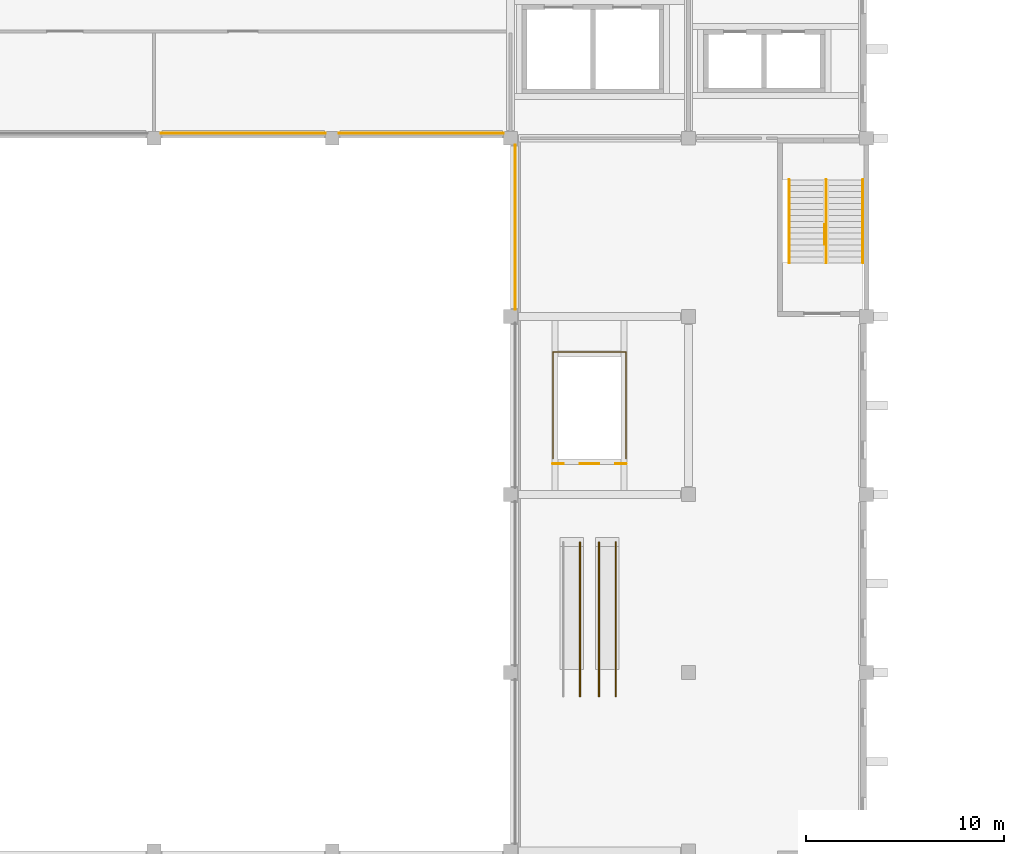
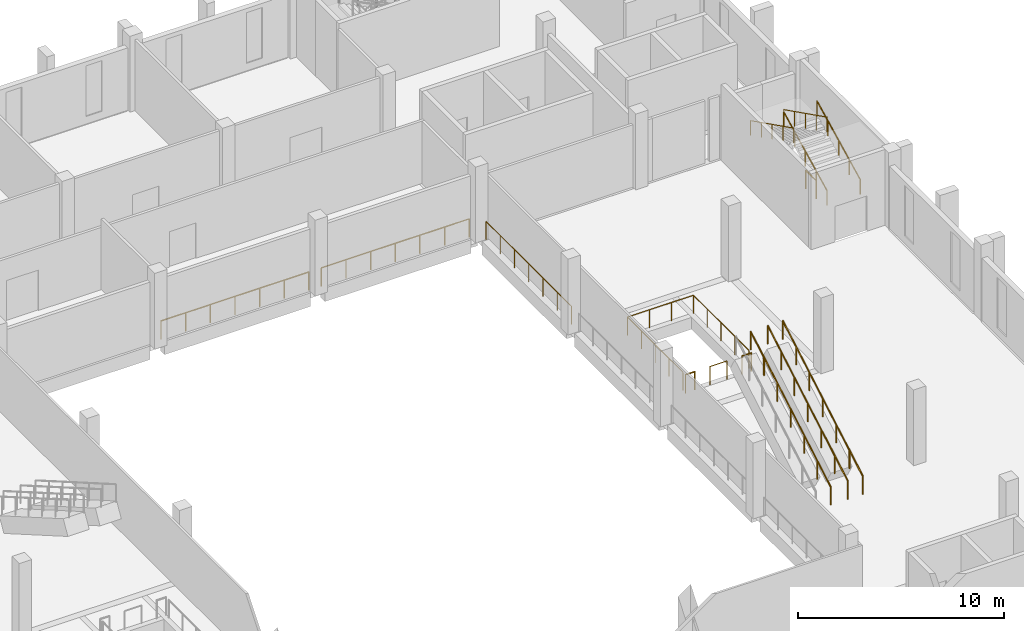
# One storey, part 41 of 45: 15 railings.
"""IFC4 building model written with IfcOpenShell, lengths in metres."""

from ifc_helpers import new_model, si_unit, direction, frame, origin, origin_2d, place, context, subcontext, project, spatial, circle, extrude, material, type_object, element, save


model = new_model("IFC4")

# Units and contexts
model_context = context("Model", 3, precision=1e-05, world=origin(), true_north=direction((0.0, 1.0)))
body_context = subcontext(model_context, "Body", "Model", "MODEL_VIEW")
ifc_project = project(units=[si_unit("LENGTHUNIT", "METRE"), si_unit("AREAUNIT", "SQUARE_METRE"), si_unit("VOLUMEUNIT", "CUBIC_METRE"), si_unit("PLANEANGLEUNIT", "RADIAN"), si_unit("MASSUNIT", "GRAM", prefix="KILO")], contexts=[model_context])

# Site, building, storey
site_placement = place(None, origin())
site = spatial("IfcSite", under=ifc_project, at=site_placement, CompositionType="ELEMENT")
building_placement = place(site_placement, origin())
building = spatial("IfcBuilding", under=site, at=building_placement, Name="Guidao Yard Department Store", CompositionType="ELEMENT")
storey_placement = place(building_placement, frame((0.0, 0.0, 19.5)))
storey = spatial("IfcBuildingStorey", under=building, at=storey_placement, Name="L04", CompositionType="ELEMENT", Elevation=19.5)

# Railings
ifc_material_1 = material(Name="Laminated glass", Category="glass")
railing_type_1 = type_object("IfcRailingType", Name="Escalator balustrade glass 1100", PredefinedType="BALUSTRADE", material=ifc_material_1)
for number, where, name in (
    (1, (48.52001953125, 61.800048828125, 0.0), "Escalator EH9 up balustrade"),
    (2, (49.47998046875, 61.800048828125, 0.0), "Escalator EH9 down balustrade"),
    (3, (50.320068359375, 61.800048828125, 0.0), "Escalator EH9 down balustrade"),
):
    element("IfcRailing", number, at=place(storey_placement, frame(where)), inside=storey, type_object=railing_type_1, Name=name, PredefinedType="BALUSTRADE", context=body_context, shape_type="SweptSolid", body=[
        extrude(circle(Radius=0.030029296875, at=origin_2d()), frame((0.0, 0.0, 1.070068359375), z_axis=(0.0, 0.866017533419, 0.500013631625), x_axis=(-1.0, 0.0, 0.0)), (0.0, 0.0, 1.0), 8.999755859375),
        extrude(circle(Radius=0.02490234375, at=origin_2d()), origin(), (0.0, 0.0, 1.0), 1.0400390625),
        extrude(circle(Radius=0.02490234375, at=origin_2d()), frame((0.0, 1.299072265625, 0.75)), (0.0, 0.0, 1.0), 1.0400390625),
        extrude(circle(Radius=0.02490234375, at=origin_2d()), frame((0.0, 2.597900390625, 1.5)), (0.0, 0.0, 1.0), 1.0400390625),
        extrude(circle(Radius=0.02490234375, at=origin_2d()), frame((0.0, 3.89697265625, 2.25)), (0.0, 0.0, 1.0), 1.0400390625),
        extrude(circle(Radius=0.02490234375, at=origin_2d()), frame((0.0, 5.196044921875, 3.0)), (0.0, 0.0, 1.0), 1.0400390625),
        extrude(circle(Radius=0.02490234375, at=origin_2d()), frame((0.0, 6.494873046875, 3.75)), (0.0, 0.0, 1.0), 1.0400390625),
        extrude(circle(Radius=0.02490234375, at=origin_2d()), frame((0.0, 7.7939453125, 4.5)), (0.0, 0.0, 1.0), 1.0400390625),
    ])
ifc_material_2 = material(Name="Steel Q235", Category="steel")
railing_type_2 = type_object("IfcRailingType", Name="Guard steel balustrade 1100", PredefinedType="GUARDRAIL", material=ifc_material_2)
railing_1_placement = place(storey_placement, frame((60.875, 84.6298828125, 0.0)))
element("IfcRailing", 4, at=railing_1_placement, inside=storey, type_object=railing_type_2, Name="Stair A4 guard L04 4", PredefinedType="GUARDRAIL", context=body_context, shape_type="SweptSolid", body=[
    extrude(circle(Radius=0.02392578125, at=origin_2d()), frame((0.0, 0.0, 1.076171875), z_axis=(0.0, 1.0, 0.0), x_axis=(-1.0, 0.0, 0.0)), (0.0, 0.0, 1.0), 1.0),
    extrude(circle(Radius=0.02099609375, at=origin_2d()), origin(), (0.0, 0.0, 1.0), 1.052001953125),
    extrude(circle(Radius=0.02099609375, at=origin_2d()), frame((0.0, 1.0, 0.0)), (0.0, 0.0, 1.0), 1.052001953125),
])
railing_2_placement = place(storey_placement, frame((47.14990234375, 73.555908203125, 0.0)))
element("IfcRailing", 5, at=railing_2_placement, inside=storey, type_object=railing_type_2, Name="Guard escalator EH8 arrival 1", PredefinedType="GUARDRAIL", context=body_context, shape_type="SweptSolid", body=[
    extrude(circle(Radius=0.02392578125, at=origin_2d()), frame((0.0, 0.0, 1.076171875), z_axis=(1.0, 0.0, 0.0), x_axis=(0.0, 1.0, 0.0)), (0.0, 0.0, 1.0), 0.530029296875),
    extrude(circle(Radius=0.02099609375, at=origin_2d()), origin(), (0.0, 0.0, 1.0), 1.052001953125),
    extrude(circle(Radius=0.02099609375, at=origin_2d()), frame((0.530029296875, 0.0, 0.0)), (0.0, 0.0, 1.0), 1.052001953125),
])
railing_3_placement = place(storey_placement, frame((48.52001953125, 73.555908203125, 0.0)))
element("IfcRailing", 6, at=railing_3_placement, inside=storey, type_object=railing_type_2, Name="Guard escalator EH8 arrival 2", PredefinedType="GUARDRAIL", context=body_context, shape_type="SweptSolid", body=[
    extrude(circle(Radius=0.02392578125, at=origin_2d()), frame((0.0, 0.0, 1.076171875), z_axis=(1.0, 0.0, 0.0), x_axis=(0.0, 1.0, 0.0)), (0.0, 0.0, 1.0), 0.9599609375),
    extrude(circle(Radius=0.02099609375, at=origin_2d()), origin(), (0.0, 0.0, 1.0), 1.052001953125),
    extrude(circle(Radius=0.02099609375, at=origin_2d()), frame((0.9599609375, 0.0, 0.0)), (0.0, 0.0, 1.0), 1.052001953125),
])
railing_4_placement = place(storey_placement, frame((50.320068359375, 73.555908203125, 0.0)))
element("IfcRailing", 7, at=railing_4_placement, inside=storey, type_object=railing_type_2, Name="Guard escalator EH8 arrival 3", PredefinedType="GUARDRAIL", context=body_context, shape_type="SweptSolid", body=[
    extrude(circle(Radius=0.02392578125, at=origin_2d()), frame((0.0, 0.0, 1.076171875), z_axis=(1.0, 0.0, 0.0), x_axis=(0.0, 1.0, 0.0)), (0.0, 0.0, 1.0), 0.530029296875),
    extrude(circle(Radius=0.02099609375, at=origin_2d()), origin(), (0.0, 0.0, 1.0), 1.052001953125),
    extrude(circle(Radius=0.02099609375, at=origin_2d()), frame((0.530029296875, 0.0, 0.0)), (0.0, 0.0, 1.0), 1.052001953125),
])
railing_5_placement = place(storey_placement, frame((45.25, 81.35009765625, 0.0)))
element("IfcRailing", 8, at=railing_5_placement, inside=storey, type_object=railing_type_2, Name="Guard atrium E L04", PredefinedType="GUARDRAIL", context=body_context, shape_type="SweptSolid", body=[
    extrude(circle(Radius=0.02392578125, at=origin_2d()), frame((0.0, 0.0, 1.076171875), z_axis=(0.0, 1.0, 0.0), x_axis=(-1.0, 0.0, 0.0)), (0.0, 0.0, 1.0), 8.2998046875),
    extrude(circle(Radius=0.02099609375, at=origin_2d()), origin(), (0.0, 0.0, 1.0), 1.052001953125),
    extrude(circle(Radius=0.02099609375, at=origin_2d()), frame((0.0, 1.38330078125, 0.0)), (0.0, 0.0, 1.0), 1.052001953125),
    extrude(circle(Radius=0.02099609375, at=origin_2d()), frame((0.0, 2.7666015625, 0.0)), (0.0, 0.0, 1.0), 1.052001953125),
    extrude(circle(Radius=0.02099609375, at=origin_2d()), frame((0.0, 4.14990234375, 0.0)), (0.0, 0.0, 1.0), 1.052001953125),
    extrude(circle(Radius=0.02099609375, at=origin_2d()), frame((0.0, 5.533203125, 0.0)), (0.0, 0.0, 1.0), 1.052001953125),
    extrude(circle(Radius=0.02099609375, at=origin_2d()), frame((0.0, 6.91650390625, 0.0)), (0.0, 0.0, 1.0), 1.052001953125),
    extrude(circle(Radius=0.02099609375, at=origin_2d()), frame((0.0, 8.2998046875, 0.0)), (0.0, 0.0, 1.0), 1.052001953125),
])
for number, where, name in (
    (9, (44.64990234375, 90.25, 0.0), "Guard atrium N L04"),
    (10, (35.64990234375, 90.25, 0.0), "Guard atrium N L04"),
):
    element("IfcRailing", number, at=place(storey_placement, frame(where)), inside=storey, type_object=railing_type_2, Name=name, PredefinedType="GUARDRAIL", context=body_context, shape_type="SweptSolid", body=[
        extrude(circle(Radius=0.02392578125, at=origin_2d()), frame((0.0, 0.0, 1.076171875), z_axis=(-1.0, 0.0, 0.0), x_axis=(0.0, -1.0, 0.0)), (0.0, 0.0, 1.0), 8.2998046875),
        extrude(circle(Radius=0.02099609375, at=origin_2d()), origin(), (0.0, 0.0, 1.0), 1.052001953125),
        extrude(circle(Radius=0.02099609375, at=origin_2d()), frame((-1.38330078125, 0.0, 0.0)), (0.0, 0.0, 1.0), 1.052001953125),
        extrude(circle(Radius=0.02099609375, at=origin_2d()), frame((-2.7666015625, 0.0, 0.0)), (0.0, 0.0, 1.0), 1.052001953125),
        extrude(circle(Radius=0.02099609375, at=origin_2d()), frame((-4.14990234375, 0.0, 0.0)), (0.0, 0.0, 1.0), 1.052001953125),
        extrude(circle(Radius=0.02099609375, at=origin_2d()), frame((-5.533203125, 0.0, 0.0)), (0.0, 0.0, 1.0), 1.052001953125),
        extrude(circle(Radius=0.02099609375, at=origin_2d()), frame((-6.91650390625, 0.0, 0.0)), (0.0, 0.0, 1.0), 1.052001953125),
        extrude(circle(Radius=0.02099609375, at=origin_2d()), frame((-8.2998046875, 0.0, 0.0)), (0.0, 0.0, 1.0), 1.052001953125),
    ])
railing_6_placement = place(storey_placement, frame((50.85009765625, 73.805908203125, 0.0)))
element("IfcRailing", 11, at=railing_6_placement, inside=storey, type_object=railing_type_2, Name="Guard well EH8 L04", PredefinedType="GUARDRAIL", context=body_context, shape_type="SweptSolid", body=[
    extrude(circle(Radius=0.02392578125, at=origin_2d()), frame((0.0, 0.0, 1.076171875), z_axis=(0.0, 1.0, 0.0), x_axis=(-1.0, 0.0, 0.0)), (0.0, 0.0, 1.0), 5.38818359375),
    extrude(circle(Radius=0.02392578125, at=origin_2d()), frame((0.0, 5.38818359375, 1.076171875), z_axis=(-1.0, 0.0, 0.0), x_axis=(0.0, -1.0, 0.0)), (0.0, 0.0, 1.0), 3.7001953125),
    extrude(circle(Radius=0.02392578125, at=origin_2d()), frame((-3.7001953125, 5.38818359375, 1.076171875), z_axis=(0.0, -1.0, 0.0), x_axis=(1.0, 0.0, 0.0)), (0.0, 0.0, 1.0), 5.38818359375),
    extrude(circle(Radius=0.02099609375, at=origin_2d()), origin(), (0.0, 0.0, 1.0), 1.052001953125),
    extrude(circle(Radius=0.02099609375, at=origin_2d()), frame((0.0, 1.34716796875, 0.0)), (0.0, 0.0, 1.0), 1.052001953125),
    extrude(circle(Radius=0.02099609375, at=origin_2d()), frame((0.0, 2.694091796875, 0.0)), (0.0, 0.0, 1.0), 1.052001953125),
    extrude(circle(Radius=0.02099609375, at=origin_2d()), frame((0.0, 4.041015625, 0.0)), (0.0, 0.0, 1.0), 1.052001953125),
    extrude(circle(Radius=0.02099609375, at=origin_2d()), frame((0.0, 5.38818359375, 0.0)), (0.0, 0.0, 1.0), 1.052001953125),
    extrude(circle(Radius=0.02099609375, at=origin_2d()), frame((-1.2333984375, 5.38818359375, 0.0)), (0.0, 0.0, 1.0), 1.052001953125),
    extrude(circle(Radius=0.02099609375, at=origin_2d()), frame((-2.466796875, 5.38818359375, 0.0)), (0.0, 0.0, 1.0), 1.052001953125),
    extrude(circle(Radius=0.02099609375, at=origin_2d()), frame((-3.7001953125, 5.38818359375, 0.0)), (0.0, 0.0, 1.0), 1.052001953125),
    extrude(circle(Radius=0.02099609375, at=origin_2d()), frame((-3.7001953125, 4.041015625, 0.0)), (0.0, 0.0, 1.0), 1.052001953125),
    extrude(circle(Radius=0.02099609375, at=origin_2d()), frame((-3.7001953125, 2.694091796875, 0.0)), (0.0, 0.0, 1.0), 1.052001953125),
    extrude(circle(Radius=0.02099609375, at=origin_2d()), frame((-3.7001953125, 1.34716796875, 0.0)), (0.0, 0.0, 1.0), 1.052001953125),
    extrude(circle(Radius=0.02099609375, at=origin_2d()), frame((-3.7001953125, 0.0, 0.0)), (0.0, 0.0, 1.0), 1.052001953125),
])
ifc_material_3 = material(Name="Steel Q235", Category="steel")
railing_type_3 = type_object("IfcRailingType", Name="Handrail steel tube 48", PredefinedType="HANDRAIL", material=ifc_material_3)
for number, where, name in (
    (12, (62.81494140625, 83.699951171875, 0.14990234375), "Stair A4 hand rail L04 13"),
    (13, (60.949951171875, 83.699951171875, 0.14990234375), "Stair A4 hand rail L04 14"),
):
    element("IfcRailing", number, at=place(storey_placement, frame(where)), inside=storey, type_object=railing_type_3, Name=name, PredefinedType="HANDRAIL", context=body_context, shape_type="SweptSolid", body=[
        extrude(circle(Radius=0.02392578125, at=origin_2d()), frame((0.0, 0.0, 0.8759765625), z_axis=(0.0, 0.894416792377, 0.447234392142), x_axis=(-1.0, 0.0, 0.0)), (0.0, 0.0, 1.0), 4.69580078125),
        extrude(circle(Radius=0.02099609375, at=origin_2d()), origin(), (0.0, 0.0, 1.0), 0.851806640625),
        extrude(circle(Radius=0.02099609375, at=origin_2d()), frame((0.0, 1.050048828125, 0.52490234375)), (0.0, 0.0, 1.0), 0.851806640625),
        extrude(circle(Radius=0.02099609375, at=origin_2d()), frame((0.0, 2.10009765625, 1.050048828125)), (0.0, 0.0, 1.0), 0.851806640625),
        extrude(circle(Radius=0.02099609375, at=origin_2d()), frame((0.0, 3.14990234375, 1.5751953125)), (0.0, 0.0, 1.0), 0.851806640625),
        extrude(circle(Radius=0.02099609375, at=origin_2d()), frame((0.0, 4.199951171875, 2.10009765625)), (0.0, 0.0, 1.0), 0.851806640625),
    ])
for number, where, name in (
    (14, (59.0849609375, 87.89990234375, 2.39990234375), "Stair A4 hand rail L04 15"),
    (15, (60.949951171875, 87.89990234375, 2.39990234375), "Stair A4 hand rail L04 16"),
):
    element("IfcRailing", number, at=place(storey_placement, frame(where)), inside=storey, type_object=railing_type_3, Name=name, PredefinedType="HANDRAIL", context=body_context, shape_type="SweptSolid", body=[
        extrude(circle(Radius=0.02392578125, at=origin_2d()), frame((0.0, 0.0, 0.8759765625), z_axis=(0.0, -0.894416792377, 0.447234392142), x_axis=(1.0, 0.0, 0.0)), (0.0, 0.0, 1.0), 4.69580078125),
        extrude(circle(Radius=0.02099609375, at=origin_2d()), origin(), (0.0, 0.0, 1.0), 0.851806640625),
        extrude(circle(Radius=0.02099609375, at=origin_2d()), frame((0.0, -1.050048828125, 0.52490234375)), (0.0, 0.0, 1.0), 0.851806640625),
        extrude(circle(Radius=0.02099609375, at=origin_2d()), frame((0.0, -2.10009765625, 1.050048828125)), (0.0, 0.0, 1.0), 0.851806640625),
        extrude(circle(Radius=0.02099609375, at=origin_2d()), frame((0.0, -3.14990234375, 1.5751953125)), (0.0, 0.0, 1.0), 0.851806640625),
        extrude(circle(Radius=0.02099609375, at=origin_2d()), frame((0.0, -4.199951171875, 2.10009765625)), (0.0, 0.0, 1.0), 0.851806640625),
    ])

save(model, "model.ifc")
